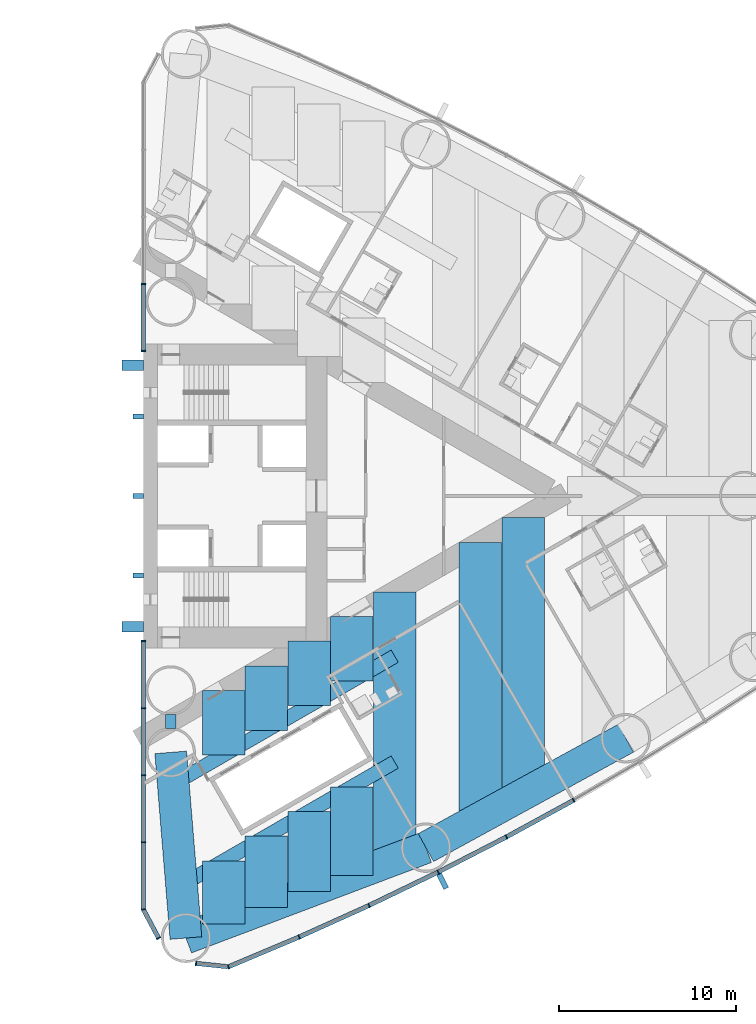
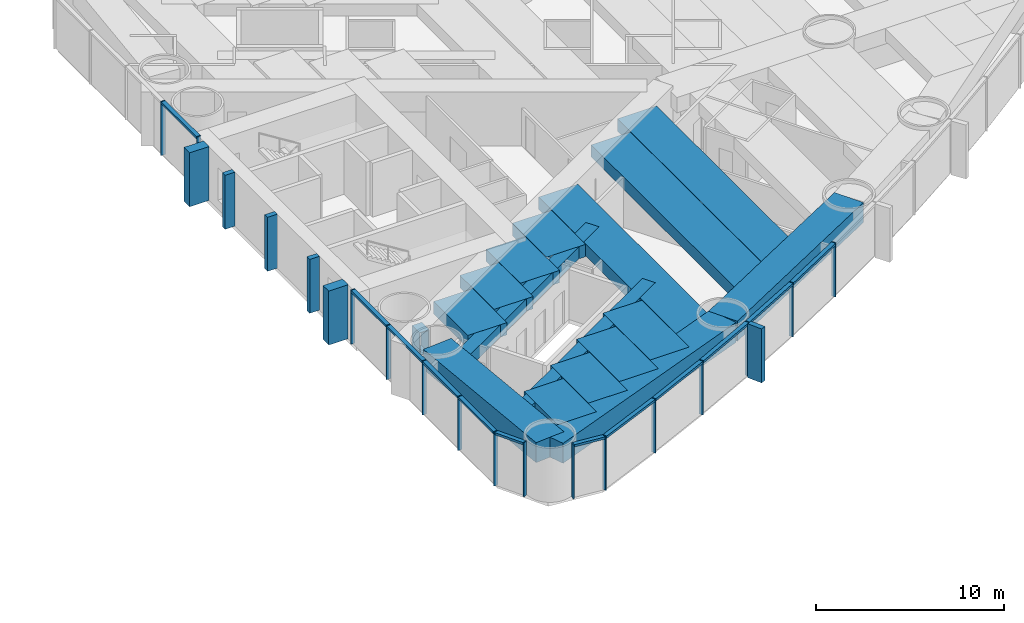
# One storey, part 6 of 19: 33 members, 17 beams, 3 elements without a shape of their own.
"""IFC4 building model written with IfcOpenShell, lengths in metres."""

from ifc_helpers import new_model, si_unit, direction, frame, origin, origin_2d, place, context, subcontext, project, spatial, rectangle, hollow_rectangle, extrude, material, material_profile, profile_set, type_object, element, aggregate, save


model = new_model("IFC4")

# Units and contexts
model_context = context("Model", 3, precision=1e-05, world=origin(), true_north=direction((0.0, 1.0)))
body_context = subcontext(model_context, "Body", "Model", "MODEL_VIEW")
ifc_project = project(units=[si_unit("LENGTHUNIT", "METRE"), si_unit("AREAUNIT", "SQUARE_METRE"), si_unit("VOLUMEUNIT", "CUBIC_METRE"), si_unit("PLANEANGLEUNIT", "RADIAN"), si_unit("MASSUNIT", "GRAM", prefix="KILO")], contexts=[model_context])

# Site, building, storey
site_placement = place(None, origin())
site = spatial("IfcSite", under=ifc_project, at=site_placement, CompositionType="ELEMENT")
building_placement = place(site_placement, origin())
building = spatial("IfcBuilding", under=site, at=building_placement, Name="Lancet Gate Hotel", CompositionType="ELEMENT")
storey_placement = place(building_placement, frame((0.0, 0.0, 21.5)))
storey = spatial("IfcBuildingStorey", under=building, at=storey_placement, Name="L04", CompositionType="ELEMENT", Elevation=21.5)

# Curtain wall, members
ifc_material_1 = material(Name="Aluminium curtain wall", Category="aluminium")
curtain_wall_type = type_object("IfcCurtainWallType", Name="Tower unitised curtain wall", PredefinedType="USERDEFINED", material=ifc_material_1)
curtain_wall_1_placement = place(storey_placement, origin())
curtain_wall_1 = element("IfcCurtainWall", 1, at=curtain_wall_1_placement, inside=storey, type_object=curtain_wall_type, Name="T2 L04 curtain wall 1", ObjectType="UNITISED CURTAIN WALL", PredefinedType="USERDEFINED")
ifc_material_2 = material(Name="Aluminium mullion", Category="aluminium")
ifc_material_profile_1 = material_profile(ifc_material_2, rectangle(XDim=0.06494140625, YDim=0.25, at=origin_2d()), Name="MULLION 65x250")
ifc_profile_set_1 = profile_set([ifc_material_profile_1], Name="Aluminium mullion")
member_type_1 = type_object("IfcMemberType", Name="Aluminium mullion 65x250", PredefinedType="MULLION", material=ifc_profile_set_1)
member_1_placement = place(storey_placement, frame((27.5, -8.199951171875, 0.0), z_axis=(0.0, 0.0, 1.0), x_axis=(0.0, -1.0, 0.0)))
member_1 = element("IfcMember", 2, at=member_1_placement, type_object=member_type_1, Name="T2 L04 curtain wall 1 mullion 1", PredefinedType="MULLION", context=body_context, shape_type="SweptSolid", body=[
    extrude(rectangle(XDim=0.06494140625, YDim=0.25, at=origin_2d()), origin(), (0.0, 0.0, 1.0), 3.5),
])
member_2_placement = place(storey_placement, frame((27.5, -11.99609375, 0.0), z_axis=(0.0, 0.0, 1.0), x_axis=(0.0, -1.0, 0.0)))
member_2 = element("IfcMember", 3, at=member_2_placement, type_object=member_type_1, Name="T2 L04 curtain wall 1 mullion 2", PredefinedType="MULLION", context=body_context, shape_type="SweptSolid", body=[
    extrude(rectangle(XDim=0.06494140625, YDim=0.25, at=origin_2d()), origin(), (0.0, 0.0, 1.0), 3.5),
])
member_3_placement = place(storey_placement, frame((27.5, -15.79248046875, 0.0), z_axis=(0.0, 0.0, 1.0), x_axis=(0.0, -1.0, 0.0)))
member_3 = element("IfcMember", 4, at=member_3_placement, type_object=member_type_1, Name="T2 L04 curtain wall 1 mullion 3", PredefinedType="MULLION", context=body_context, shape_type="SweptSolid", body=[
    extrude(rectangle(XDim=0.06494140625, YDim=0.25, at=origin_2d()), origin(), (0.0, 0.0, 1.0), 3.5),
])
member_4_placement = place(storey_placement, frame((27.5, -19.588623046875, 0.0), z_axis=(0.0, 0.0, 1.0), x_axis=(0.0, -1.0, 0.0)))
member_4 = element("IfcMember", 5, at=member_4_placement, type_object=member_type_1, Name="T2 L04 curtain wall 1 mullion 4", PredefinedType="MULLION", context=body_context, shape_type="SweptSolid", body=[
    extrude(rectangle(XDim=0.06494140625, YDim=0.25, at=origin_2d()), origin(), (0.0, 0.0, 1.0), 3.5),
])
member_5_placement = place(storey_placement, frame((27.5, -23.384765625, 0.0), z_axis=(0.0, 0.0, 1.0), x_axis=(0.157751691459, -0.987478811844, 0.0)))
member_5 = element("IfcMember", 6, at=member_5_placement, type_object=member_type_1, Name="T2 L04 curtain wall 1 mullion 5", PredefinedType="MULLION", context=body_context, shape_type="SweptSolid", body=[
    extrude(rectangle(XDim=0.06494140625, YDim=0.25, at=origin_2d()), origin(), (0.0, 0.0, 1.0), 3.5),
])
member_6_placement = place(storey_placement, frame((28.366455078125, -25.012451171875, 0.0), z_axis=(0.0, 0.0, 1.0), x_axis=(0.469897827284, -0.882720811987, 0.0)))
member_6 = element("IfcMember", 7, at=member_6_placement, type_object=member_type_1, Name="T2 L04 curtain wall 1 mullion 6", PredefinedType="MULLION", context=body_context, shape_type="SweptSolid", body=[
    extrude(rectangle(XDim=0.06494140625, YDim=0.25, at=origin_2d()), origin(), (0.0, 0.0, 1.0), 3.5),
])

curtain_wall_2_placement = place(storey_placement, origin())
curtain_wall_2 = element("IfcCurtainWall", 8, at=curtain_wall_2_placement, inside=storey, type_object=curtain_wall_type, Name="T2 L04 curtain wall 2", ObjectType="UNITISED CURTAIN WALL", PredefinedType="USERDEFINED")
member_7_placement = place(storey_placement, frame((30.48388671875, -26.4375, 0.0), z_axis=(0.0, 0.0, 1.0), x_axis=(0.994672262412, -0.10308778001, 0.0)))
member_7 = element("IfcMember", 9, at=member_7_placement, type_object=member_type_1, Name="T2 L04 curtain wall 2 mullion 1", PredefinedType="MULLION", context=body_context, shape_type="SweptSolid", body=[
    extrude(rectangle(XDim=0.06494140625, YDim=0.25, at=origin_2d()), origin(), (0.0, 0.0, 1.0), 3.5),
])
member_8_placement = place(storey_placement, frame((32.3173828125, -26.62744140625, 0.0), z_axis=(0.0, 0.0, 1.0), x_axis=(0.968721492963, 0.248150496819, 0.0)))
member_8 = element("IfcMember", 10, at=member_8_placement, type_object=member_type_1, Name="T2 L04 curtain wall 2 mullion 2", PredefinedType="MULLION", context=body_context, shape_type="SweptSolid", body=[
    extrude(rectangle(XDim=0.06494140625, YDim=0.25, at=origin_2d()), origin(), (0.0, 0.0, 1.0), 3.5),
])
member_9_placement = place(storey_placement, frame((36.31494140625, -24.943603515625, 0.0), z_axis=(0.0, 0.0, 1.0), x_axis=(0.916578705089, 0.399854320193, 0.0)))
member_9 = element("IfcMember", 11, at=member_9_placement, type_object=member_type_1, Name="T2 L04 curtain wall 2 mullion 3", PredefinedType="MULLION", context=body_context, shape_type="SweptSolid", body=[
    extrude(rectangle(XDim=0.06494140625, YDim=0.25, at=origin_2d()), origin(), (0.0, 0.0, 1.0), 3.5),
])
member_10_placement = place(storey_placement, frame((40.2685546875, -23.15869140625, 0.0), z_axis=(0.0, 0.0, 1.0), x_axis=(0.906104948671, 0.423052977762, 0.0)))
member_10 = element("IfcMember", 12, at=member_10_placement, type_object=member_type_1, Name="T2 L04 curtain wall 2 mullion 4", PredefinedType="MULLION", context=body_context, shape_type="SweptSolid", body=[
    extrude(rectangle(XDim=0.06494140625, YDim=0.25, at=origin_2d()), origin(), (0.0, 0.0, 1.0), 3.5),
])
member_11_placement = place(storey_placement, frame((44.17529296875, -21.273681640625, 0.0), z_axis=(0.0, 0.0, 1.0), x_axis=(0.895044147438, 0.445977548917, 0.0)))
member_11 = element("IfcMember", 13, at=member_11_placement, type_object=member_type_1, Name="T2 L04 curtain wall 2 mullion 5", PredefinedType="MULLION", context=body_context, shape_type="SweptSolid", body=[
    extrude(rectangle(XDim=0.06494140625, YDim=0.25, at=origin_2d()), origin(), (0.0, 0.0, 1.0), 3.5),
])
member_12_placement = place(storey_placement, frame((48.03271484375, -19.2900390625, 0.0), z_axis=(0.0, 0.0, 1.0), x_axis=(0.88340346743, 0.468613181347, 0.0)))
member_12 = element("IfcMember", 14, at=member_12_placement, type_object=member_type_1, Name="T2 L04 curtain wall 2 mullion 6", PredefinedType="MULLION", context=body_context, shape_type="SweptSolid", body=[
    extrude(rectangle(XDim=0.06494140625, YDim=0.25, at=origin_2d()), origin(), (0.0, 0.0, 1.0), 3.5),
])
member_13_placement = place(storey_placement, frame((51.838623046875, -17.208740234375, 0.0), z_axis=(0.0, 0.0, 1.0), x_axis=(0.871190450382, 0.490945209941, 0.0)))
member_13 = element("IfcMember", 15, at=member_13_placement, type_object=member_type_1, Name="T2 L04 curtain wall 2 mullion 7", PredefinedType="MULLION", context=body_context, shape_type="SweptSolid", body=[
    extrude(rectangle(XDim=0.06494140625, YDim=0.25, at=origin_2d()), origin(), (0.0, 0.0, 1.0), 3.5),
])

curtain_wall_3_placement = place(storey_placement, origin())
curtain_wall_3 = element("IfcCurtainWall", 16, at=curtain_wall_3_placement, inside=storey, type_object=curtain_wall_type, Name="T2 L04 curtain wall 4", ObjectType="UNITISED CURTAIN WALL", PredefinedType="USERDEFINED")
member_14_placement = place(storey_placement, frame((27.5, 11.99609375, 0.0), z_axis=(0.0, 0.0, 1.0), x_axis=(0.0, -1.0, 0.0)))
member_14 = element("IfcMember", 17, at=member_14_placement, type_object=member_type_1, Name="T2 L04 curtain wall 4 mullion 5", PredefinedType="MULLION", context=body_context, shape_type="SweptSolid", body=[
    extrude(rectangle(XDim=0.06494140625, YDim=0.25, at=origin_2d()), origin(), (0.0, 0.0, 1.0), 3.5),
])
member_15_placement = place(storey_placement, frame((27.5, 8.199951171875, 0.0), z_axis=(0.0, 0.0, 1.0), x_axis=(0.0, -1.0, 0.0)))
member_15 = element("IfcMember", 18, at=member_15_placement, type_object=member_type_1, Name="T2 L04 curtain wall 4 mullion 6", PredefinedType="MULLION", context=body_context, shape_type="SweptSolid", body=[
    extrude(rectangle(XDim=0.06494140625, YDim=0.25, at=origin_2d()), origin(), (0.0, 0.0, 1.0), 3.5),
])

# Member
ifc_material_3 = material(Name="Aluminium transom", Category="aluminium")
ifc_material_profile_2 = material_profile(ifc_material_3, rectangle(XDim=0.25, YDim=0.14990234375, at=origin_2d()), Name="TRANSOM 250x150")
ifc_profile_set_2 = profile_set([ifc_material_profile_2], Name="Aluminium transom")
member_type_2 = type_object("IfcMemberType", Name="Aluminium transom 250x150", PredefinedType="USERDEFINED", material=ifc_profile_set_2)
member_16_placement = place(storey_placement, frame((27.5, -8.232421875, 3.425048828125), z_axis=(0.0, -1.0, 0.0), x_axis=(1.0, 0.0, 0.0)))
member_16 = element("IfcMember", 19, at=member_16_placement, type_object=member_type_2, Name="T2 L04 curtain wall 1 transom 1", ObjectType="TRANSOM", PredefinedType="USERDEFINED", context=body_context, shape_type="SweptSolid", body=[
    extrude(rectangle(XDim=0.25, YDim=0.14990234375, at=origin_2d()), origin(), (0.0, 0.0, 1.0), 3.731201171875),
])

member_17_placement = place(storey_placement, frame((27.5, -12.02880859375, 3.425048828125), z_axis=(0.0, -1.0, 0.0), x_axis=(1.0, 0.0, 0.0)))
member_17 = element("IfcMember", 20, at=member_17_placement, type_object=member_type_2, Name="T2 L04 curtain wall 1 transom 2", ObjectType="TRANSOM", PredefinedType="USERDEFINED", context=body_context, shape_type="SweptSolid", body=[
    extrude(rectangle(XDim=0.25, YDim=0.14990234375, at=origin_2d()), origin(), (0.0, 0.0, 1.0), 3.731201171875),
])

member_18_placement = place(storey_placement, frame((27.5, -15.824951171875, 3.425048828125), z_axis=(0.0, -1.0, 0.0), x_axis=(1.0, 0.0, 0.0)))
member_18 = element("IfcMember", 21, at=member_18_placement, type_object=member_type_2, Name="T2 L04 curtain wall 1 transom 3", ObjectType="TRANSOM", PredefinedType="USERDEFINED", context=body_context, shape_type="SweptSolid", body=[
    extrude(rectangle(XDim=0.25, YDim=0.14990234375, at=origin_2d()), origin(), (0.0, 0.0, 1.0), 3.731201171875),
])

member_19_placement = place(storey_placement, frame((27.5, -19.62109375, 3.425048828125), z_axis=(0.0, -1.0, 0.0), x_axis=(1.0, 0.0, 0.0)))
member_19 = element("IfcMember", 22, at=member_19_placement, type_object=member_type_2, Name="T2 L04 curtain wall 1 transom 4", ObjectType="TRANSOM", PredefinedType="USERDEFINED", context=body_context, shape_type="SweptSolid", body=[
    extrude(rectangle(XDim=0.25, YDim=0.14990234375, at=origin_2d()), origin(), (0.0, 0.0, 1.0), 3.731201171875),
])

member_20_placement = place(storey_placement, frame((27.515380859375, -23.41357421875, 3.425048828125), z_axis=(0.469904276347, -0.882717378933, 0.0), x_axis=(0.882717378933, 0.469904276347, 0.0)))
member_20 = element("IfcMember", 23, at=member_20_placement, type_object=member_type_2, Name="T2 L04 curtain wall 1 transom 5", ObjectType="TRANSOM", PredefinedType="USERDEFINED", context=body_context, shape_type="SweptSolid", body=[
    extrude(rectangle(XDim=0.25, YDim=0.14990234375, at=origin_2d()), origin(), (0.0, 0.0, 1.0), 1.779052734375),
])

aggregate(curtain_wall_1, [member_1, member_2, member_3, member_4, member_5, member_6, member_16, member_17, member_18, member_19, member_20])

member_21_placement = place(storey_placement, frame((30.516357421875, -26.440673828125, 3.425048828125), z_axis=(0.994670452051, -0.103105246306, 0.0), x_axis=(0.103105246306, 0.994670452051, 0.0)))
member_21 = element("IfcMember", 24, at=member_21_placement, type_object=member_type_2, Name="T2 L04 curtain wall 2 transom 1", ObjectType="TRANSOM", PredefinedType="USERDEFINED", context=body_context, shape_type="SweptSolid", body=[
    extrude(rectangle(XDim=0.25, YDim=0.14990234375, at=origin_2d()), origin(), (0.0, 0.0, 1.0), 1.7783203125),
])

member_22_placement = place(storey_placement, frame((32.347412109375, -26.61474609375, 3.425048828125), z_axis=(0.92159772617, 0.388146404233, 0.0), x_axis=(-0.388146404233, 0.92159772617, 0.0)))
member_22 = element("IfcMember", 25, at=member_22_placement, type_object=member_type_2, Name="T2 L04 curtain wall 2 transom 2", ObjectType="TRANSOM", PredefinedType="USERDEFINED", context=body_context, shape_type="SweptSolid", body=[
    extrude(rectangle(XDim=0.25, YDim=0.14990234375, at=origin_2d()), origin(), (0.0, 0.0, 1.0), 4.272705078125),
])

member_23_placement = place(storey_placement, frame((36.3447265625, -24.930419921875, 3.425048828125), z_axis=(0.911396871737, 0.411528543589, 0.0), x_axis=(-0.411528543589, 0.911396871737, 0.0)))
member_23 = element("IfcMember", 26, at=member_23_placement, type_object=member_type_2, Name="T2 L04 curtain wall 2 transom 3", ObjectType="TRANSOM", PredefinedType="USERDEFINED", context=body_context, shape_type="SweptSolid", body=[
    extrude(rectangle(XDim=0.25, YDim=0.14990234375, at=origin_2d()), origin(), (0.0, 0.0, 1.0), 4.272705078125),
])

member_24_placement = place(storey_placement, frame((40.2978515625, -23.14453125, 3.425048828125), z_axis=(0.900646499888, 0.434552508035, 0.0), x_axis=(-0.434552508035, 0.900646499888, 0.0)))
member_24 = element("IfcMember", 27, at=member_24_placement, type_object=member_type_2, Name="T2 L04 curtain wall 2 transom 4", ObjectType="TRANSOM", PredefinedType="USERDEFINED", context=body_context, shape_type="SweptSolid", body=[
    extrude(rectangle(XDim=0.25, YDim=0.14990234375, at=origin_2d()), origin(), (0.0, 0.0, 1.0), 4.272705078125),
])

member_25_placement = place(storey_placement, frame((44.2041015625, -21.259033203125, 3.425048828125), z_axis=(0.88929576978, 0.457332520002, 0.0), x_axis=(-0.457332520002, 0.88929576978, 0.0)))
member_25 = element("IfcMember", 28, at=member_25_placement, type_object=member_type_2, Name="T2 L04 curtain wall 2 transom 5", ObjectType="TRANSOM", PredefinedType="USERDEFINED", context=body_context, shape_type="SweptSolid", body=[
    extrude(rectangle(XDim=0.25, YDim=0.14990234375, at=origin_2d()), origin(), (0.0, 0.0, 1.0), 4.272705078125),
])

member_26_placement = place(storey_placement, frame((48.061279296875, -19.2744140625, 3.425048828125), z_axis=(0.877377528879, 0.479800658417, 0.0), x_axis=(-0.479800658417, 0.877377528879, 0.0)))
member_26 = element("IfcMember", 29, at=member_26_placement, type_object=member_type_2, Name="T2 L04 curtain wall 2 transom 6", ObjectType="TRANSOM", PredefinedType="USERDEFINED", context=body_context, shape_type="SweptSolid", body=[
    extrude(rectangle(XDim=0.25, YDim=0.14990234375, at=origin_2d()), origin(), (0.0, 0.0, 1.0), 4.272705078125),
])

member_27_placement = place(storey_placement, frame((27.5, 11.963623046875, 3.425048828125), z_axis=(0.0, -1.0, 0.0), x_axis=(1.0, 0.0, 0.0)))
member_27 = element("IfcMember", 30, at=member_27_placement, type_object=member_type_2, Name="T2 L04 curtain wall 4 transom 5", ObjectType="TRANSOM", PredefinedType="USERDEFINED", context=body_context, shape_type="SweptSolid", body=[
    extrude(rectangle(XDim=0.25, YDim=0.14990234375, at=origin_2d()), origin(), (0.0, 0.0, 1.0), 3.731201171875),
])

aggregate(curtain_wall_3, [member_14, member_15, member_27])

# Beams
ifc_material_4 = material(Name="Concrete C50/60", Category="concrete")
ifc_material_profile_3 = material_profile(ifc_material_4, rectangle(XDim=1.800048828125, YDim=1.300048828125, at=origin_2d()), Name="RC 1800x1300")
ifc_profile_set_3 = profile_set([ifc_material_profile_3], Name="Concrete C50/60")
beam_type_1 = type_object("IfcBeamType", Name="Edge beam RC 1800x1300", PredefinedType="SPANDREL", material=ifc_profile_set_3)
beam_1_placement = place(storey_placement, frame((29.9111328125, -25.00244140625, 2.60009765625), z_axis=(0.935736448066, 0.352700013836, 0.0), x_axis=(-0.352700013836, 0.935736448066, 0.0)))
element("IfcBeam", 31, at=beam_1_placement, inside=storey, type_object=beam_type_1, Name="T2 edge beam EB1 L04", PredefinedType="SPANDREL", context=body_context, shape_type="SweptSolid", body=[
    extrude(rectangle(XDim=1.800048828125, YDim=1.300048828125, at=origin_2d()), origin(), (0.0, 0.0, 1.0), 14.505126953125),
])
beam_2_placement = place(storey_placement, frame((43.484130859375, -19.886474609375, 2.60009765625), z_axis=(0.87736889738, 0.479816441893, 0.0), x_axis=(-0.479816441893, 0.87736889738, 0.0)))
element("IfcBeam", 32, at=beam_2_placement, inside=storey, type_object=beam_type_1, Name="T2 edge beam EB1 L04", PredefinedType="SPANDREL", context=body_context, shape_type="SweptSolid", body=[
    extrude(rectangle(XDim=1.800048828125, YDim=1.300048828125, at=origin_2d()), origin(), (0.0, 0.0, 1.0), 12.89208984375),
])
beam_3_placement = place(storey_placement, frame((29.9111328125, -25.00244140625, 2.60009765625), z_axis=(-0.081714744052, 0.996655758326, 0.0), x_axis=(-0.996655758326, -0.081714744052, 0.0)))
element("IfcBeam", 33, at=beam_3_placement, inside=storey, type_object=beam_type_1, Name="T2 edge beam EB1 L04", PredefinedType="SPANDREL", context=body_context, shape_type="SweptSolid", body=[
    extrude(rectangle(XDim=1.800048828125, YDim=1.300048828125, at=origin_2d()), origin(), (0.0, 0.0, 1.0), 10.53759765625),
])

# Members
ifc_material_5 = material(Name="Concrete C60/75", Category="concrete")
ifc_material_profile_4 = material_profile(ifc_material_5, rectangle(XDim=0.60009765625, YDim=1.199951171875, at=origin_2d()), Name="FIN 600x1200")
ifc_profile_set_4 = profile_set([ifc_material_profile_4], Name="Concrete C60/75")
member_type_3 = type_object("IfcMemberType", Name="Exposed concrete buttress pilaster 600x1200", PredefinedType="USERDEFINED", material=ifc_profile_set_4)
for number, where, z_axis, x_axis, name in (
    (34, (26.909912109375, -7.39990234375, 0.0), (0.0, 0.0, 1.0), (0.0, 1.0, 0.0), "T2 buttress pilaster S L04"),
    (35, (26.909912109375, 7.39990234375, 0.0), (0.0, 0.0, 1.0), (0.0, 1.0, 0.0), "T2 buttress pilaster N L04"),
):
    element("IfcMember", number, at=place(storey_placement, frame(where, z_axis=z_axis, x_axis=x_axis)), inside=storey, type_object=member_type_3, Name=name, ObjectType="FIN", PredefinedType="USERDEFINED", context=body_context, shape_type="SweptSolid", body=[
        extrude(rectangle(XDim=0.60009765625, YDim=1.199951171875, at=origin_2d()), origin(), (0.0, 0.0, 1.0), 3.5),
    ])

# Member
ifc_material_6 = material(Name="Precast concrete C50/60", Category="concrete")
ifc_material_profile_5 = material_profile(ifc_material_6, rectangle(XDim=0.300048828125, YDim=0.89990234375, at=origin_2d()), Name="FIN 300x900")
ifc_profile_set_5 = profile_set([ifc_material_profile_5], Name="Precast concrete C50/60")
member_type_4 = type_object("IfcMemberType", Name="Exposed concrete fin 300x900", PredefinedType="USERDEFINED", material=ifc_profile_set_5)
member_28_placement = place(storey_placement, frame((44.431640625, -21.788330078125, 0.0), z_axis=(0.0, 0.0, 1.0), x_axis=(0.895044147438, 0.445977548917, 0.0)))
member_28 = element("IfcMember", 36, at=member_28_placement, type_object=member_type_4, Name="T2 L04 curtain wall 2 fin 5", ObjectType="FIN", PredefinedType="USERDEFINED", context=body_context, shape_type="SweptSolid", body=[
    extrude(rectangle(XDim=0.300048828125, YDim=0.89990234375, at=origin_2d()), origin(), (0.0, 0.0, 1.0), 3.5),
])

aggregate(curtain_wall_2, [member_7, member_8, member_9, member_10, member_11, member_28, member_12, member_13, member_21, member_22, member_23, member_24, member_25, member_26])

# Members
ifc_material_7 = material(Name="Concrete C60/75", Category="concrete")
ifc_material_profile_6 = material_profile(ifc_material_7, rectangle(XDim=0.300048828125, YDim=0.60009765625, at=origin_2d()), Name="FIN 300x600")
ifc_profile_set_6 = profile_set([ifc_material_profile_6], Name="Concrete C60/75")
member_type_5 = type_object("IfcMemberType", Name="Exposed concrete rib 300x600", PredefinedType="USERDEFINED", material=ifc_profile_set_6)
for number, where, z_axis, x_axis, name in (
    (37, (27.2099609375, -4.5, 0.0), (0.0, 0.0, 1.0), (0.0, 1.0, 0.0), "T2 core rib 1 L04"),
    (38, (27.2099609375, 0.0, 0.0), (0.0, 0.0, 1.0), (0.0, 1.0, 0.0), "T2 core rib 2 L04"),
    (39, (27.2099609375, 4.5, 0.0), (0.0, 0.0, 1.0), (0.0, 1.0, 0.0), "T2 core rib 3 L04"),
):
    element("IfcMember", number, at=place(storey_placement, frame(where, z_axis=z_axis, x_axis=x_axis)), inside=storey, type_object=member_type_5, Name=name, ObjectType="FIN", PredefinedType="USERDEFINED", context=body_context, shape_type="SweptSolid", body=[
        extrude(rectangle(XDim=0.300048828125, YDim=0.60009765625, at=origin_2d()), origin(), (0.0, 0.0, 1.0), 3.5),
    ])

# Beams
ifc_material_8 = material(Name="Concrete C50/60", Category="concrete")
ifc_material_profile_7 = material_profile(ifc_material_8, rectangle(XDim=2.39990234375, YDim=0.800048828125, at=origin_2d()), Name="RC 2400x800")
ifc_profile_set_7 = profile_set([ifc_material_profile_7], Name="Concrete C50/60")
beam_type_2 = type_object("IfcBeamType", Name="Floor beam RC 2400x800", PredefinedType="BEAM", material=ifc_profile_set_7)
beam_4_placement = place(storey_placement, frame((41.721435546875, -20.55078125, 2.85009765625), z_axis=(0.0, 1.0, 0.0), x_axis=(-1.0, 0.0, 0.0)))
element("IfcBeam", 40, at=beam_4_placement, inside=storey, type_object=beam_type_2, Name="T2 floor beam F11S L04", PredefinedType="BEAM", context=body_context, shape_type="SweptSolid", body=[
    extrude(rectangle(XDim=2.39990234375, YDim=0.800048828125, at=origin_2d()), origin(), (0.0, 0.0, 1.0), 15.134765625),
])
beam_5_placement = place(storey_placement, frame((46.561767578125, -18.203369140625, 2.85009765625), z_axis=(0.0, 1.0, 0.0), x_axis=(-1.0, 0.0, 0.0)))
element("IfcBeam", 41, at=beam_5_placement, inside=storey, type_object=beam_type_2, Name="T2 floor beam F13S L04", PredefinedType="BEAM", context=body_context, shape_type="SweptSolid", body=[
    extrude(rectangle(XDim=2.39990234375, YDim=0.800048828125, at=origin_2d()), origin(), (0.0, 0.0, 1.0), 15.58203125),
])
beam_6_placement = place(storey_placement, frame((48.98193359375, -16.879638671875, 2.85009765625), z_axis=(0.0, 1.0, 0.0), x_axis=(-1.0, 0.0, 0.0)))
element("IfcBeam", 42, at=beam_6_placement, inside=storey, type_object=beam_type_2, Name="T2 floor beam F15S L04", PredefinedType="BEAM", context=body_context, shape_type="SweptSolid", body=[
    extrude(rectangle(XDim=2.39990234375, YDim=0.800048828125, at=origin_2d()), origin(), (0.0, 0.0, 1.0), 15.655517578125),
])
beam_7_placement = place(storey_placement, frame((32.04052734375, -24.199951171875, 2.85009765625), z_axis=(0.0, 1.0, 0.0), x_axis=(-1.0, 0.0, 0.0)))
element("IfcBeam", 43, at=beam_7_placement, inside=storey, type_object=beam_type_2, Name="T2 floor beam F03SA L04", PredefinedType="BEAM", context=body_context, shape_type="SweptSolid", body=[
    extrude(rectangle(XDim=2.39990234375, YDim=0.800048828125, at=origin_2d()), origin(), (0.0, 0.0, 1.0), 3.5615234375),
])
beam_8_placement = place(storey_placement, frame((32.04052734375, -14.65087890625, 2.85009765625), z_axis=(0.0, 1.0, 0.0), x_axis=(-1.0, 0.0, 0.0)))
element("IfcBeam", 44, at=beam_8_placement, inside=storey, type_object=beam_type_2, Name="T2 floor beam F03SB L04", PredefinedType="BEAM", context=body_context, shape_type="SweptSolid", body=[
    extrude(rectangle(XDim=2.39990234375, YDim=0.800048828125, at=origin_2d()), origin(), (0.0, 0.0, 1.0), 3.6455078125),
])
beam_9_placement = place(storey_placement, frame((34.460693359375, -23.28759765625, 2.85009765625), z_axis=(0.0, 1.0, 0.0), x_axis=(-1.0, 0.0, 0.0)))
element("IfcBeam", 45, at=beam_9_placement, inside=storey, type_object=beam_type_2, Name="T2 floor beam F05SA L04", PredefinedType="BEAM", context=body_context, shape_type="SweptSolid", body=[
    extrude(rectangle(XDim=2.39990234375, YDim=0.800048828125, at=origin_2d()), origin(), (0.0, 0.0, 1.0), 4.04638671875),
])
beam_10_placement = place(storey_placement, frame((34.460693359375, -13.253662109375, 2.85009765625), z_axis=(0.0, 1.0, 0.0), x_axis=(-1.0, 0.0, 0.0)))
element("IfcBeam", 46, at=beam_10_placement, inside=storey, type_object=beam_type_2, Name="T2 floor beam F05SB L04", PredefinedType="BEAM", context=body_context, shape_type="SweptSolid", body=[
    extrude(rectangle(XDim=2.39990234375, YDim=0.800048828125, at=origin_2d()), origin(), (0.0, 0.0, 1.0), 3.645751953125),
])
beam_11_placement = place(storey_placement, frame((36.880859375, -22.37548828125, 2.85009765625), z_axis=(0.0, 1.0, 0.0), x_axis=(-1.0, 0.0, 0.0)))
element("IfcBeam", 47, at=beam_11_placement, inside=storey, type_object=beam_type_2, Name="T2 floor beam F07SA L04", PredefinedType="BEAM", context=body_context, shape_type="SweptSolid", body=[
    extrude(rectangle(XDim=2.39990234375, YDim=0.800048828125, at=origin_2d()), origin(), (0.0, 0.0, 1.0), 4.53173828125),
])
beam_12_placement = place(storey_placement, frame((36.880859375, -11.8564453125, 2.85009765625), z_axis=(0.0, 1.0, 0.0), x_axis=(-1.0, 0.0, 0.0)))
element("IfcBeam", 48, at=beam_12_placement, inside=storey, type_object=beam_type_2, Name="T2 floor beam F07SB L04", PredefinedType="BEAM", context=body_context, shape_type="SweptSolid", body=[
    extrude(rectangle(XDim=2.39990234375, YDim=0.800048828125, at=origin_2d()), origin(), (0.0, 0.0, 1.0), 3.645751953125),
])
beam_13_placement = place(storey_placement, frame((39.301025390625, -21.463134765625, 2.85009765625), z_axis=(0.0, 1.0, 0.0), x_axis=(-1.0, 0.0, 0.0)))
element("IfcBeam", 49, at=beam_13_placement, inside=storey, type_object=beam_type_2, Name="T2 floor beam F09SA L04", PredefinedType="BEAM", context=body_context, shape_type="SweptSolid", body=[
    extrude(rectangle(XDim=2.39990234375, YDim=0.800048828125, at=origin_2d()), origin(), (0.0, 0.0, 1.0), 5.0166015625),
])
beam_14_placement = place(storey_placement, frame((39.301025390625, -10.458984375, 2.85009765625), z_axis=(0.0, 1.0, 0.0), x_axis=(-1.0, 0.0, 0.0)))
element("IfcBeam", 50, at=beam_14_placement, inside=storey, type_object=beam_type_2, Name="T2 floor beam F09SB L04", PredefinedType="BEAM", context=body_context, shape_type="SweptSolid", body=[
    extrude(rectangle(XDim=2.39990234375, YDim=0.800048828125, at=origin_2d()), origin(), (0.0, 0.0, 1.0), 3.6455078125),
])
ifc_material_9 = material(Name="Steel S460QL", Category="steel")
ifc_material_profile_8 = material_profile(ifc_material_9, hollow_rectangle(XDim=0.60009765625, YDim=1.5, WallThickness=0.050048828125, at=origin_2d()), Name="BOX 1500x600x50")
ifc_profile_set_8 = profile_set([ifc_material_profile_8], Name="Steel S460QL")
beam_type_3 = type_object("IfcBeamType", Name="Inner-face link beam BOX 1500x600x50", PredefinedType="BEAM", material=ifc_profile_set_8)
beam_15_placement = place(storey_placement, frame((29.050048828125, -13.14990234375, 2.5), z_axis=(0.0, 1.0, 0.0), x_axis=(-1.0, 0.0, 0.0)))
element("IfcBeam", 51, at=beam_15_placement, inside=storey, type_object=beam_type_3, Name="T2 inner-face link beam LK1 L04", PredefinedType="BEAM", context=body_context, shape_type="SweptSolid", body=[
    extrude(hollow_rectangle(XDim=0.60009765625, YDim=1.5, WallThickness=0.050048828125, at=origin_2d()), origin(), (0.0, 0.0, 1.0), 0.7998046875),
])
ifc_material_10 = material(Name="Steel S460QL", Category="steel")
ifc_material_profile_9 = material_profile(ifc_material_10, hollow_rectangle(XDim=0.800048828125, YDim=0.800048828125, WallThickness=0.080078125, at=origin_2d()), Name="BOX 800x800x80")
ifc_profile_set_9 = profile_set([ifc_material_profile_9], Name="Steel S460QL")
beam_type_4 = type_object("IfcBeamType", Name="Trimmer beam BOX 800x800x80", PredefinedType="BEAM", material=ifc_profile_set_9)
beam_16_placement = place(storey_placement, frame((29.6201171875, -16.048095703125, 2.85009765625), z_axis=(0.866036909293, 0.499980071345, 0.0), x_axis=(-0.499980071345, 0.866036909293, 0.0)))
element("IfcBeam", 52, at=beam_16_placement, inside=storey, type_object=beam_type_4, Name="T2 trimmer beam TR01S L04", PredefinedType="BEAM", context=body_context, shape_type="SweptSolid", body=[
    extrude(hollow_rectangle(XDim=0.800048828125, YDim=0.800048828125, WallThickness=0.080078125, at=origin_2d()), origin(), (0.0, 0.0, 1.0), 13.97314453125),
])
beam_17_placement = place(storey_placement, frame((29.665771484375, -22.00927734375, 2.85009765625), z_axis=(0.866037222451, 0.499979528911, 0.0), x_axis=(-0.499979528911, 0.866037222451, 0.0)))
element("IfcBeam", 53, at=beam_17_placement, inside=storey, type_object=beam_type_4, Name="T2 trimmer beam TR02S L04", PredefinedType="BEAM", context=body_context, shape_type="SweptSolid", body=[
    extrude(hollow_rectangle(XDim=0.800048828125, YDim=0.800048828125, WallThickness=0.080078125, at=origin_2d()), origin(), (0.0, 0.0, 1.0), 13.92041015625),
])

save(model, "model.ifc")
